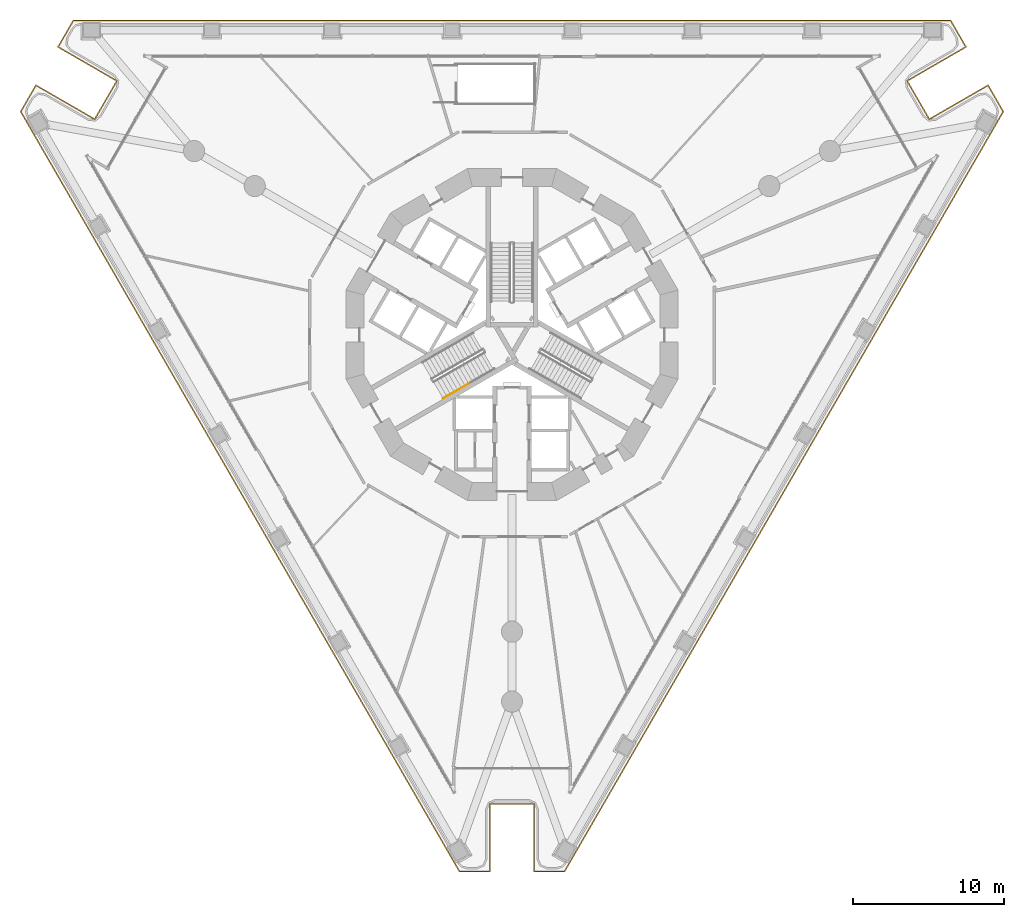
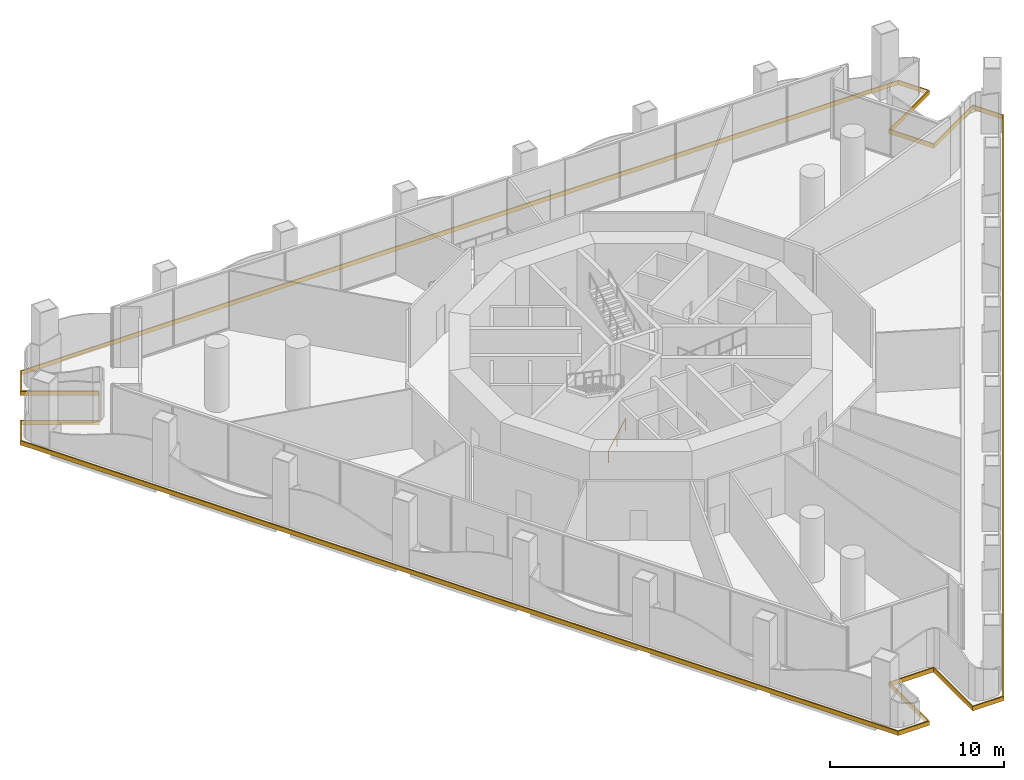
# One storey, part 15 of 21: 1 covering, 1 railing.
"""IFC4 building model written with IfcOpenShell, lengths in metres."""

from ifc_helpers import new_model, si_unit, direction, frame, origin, origin_2d, place, context, subcontext, project, spatial, polyline, circle, outline, extrude, material, layer, layer_set, type_object, element, save


model = new_model("IFC4")

# Units and contexts
model_context = context("Model", 3, precision=1e-05, world=origin(), true_north=direction((0.0, 1.0)))
body_context = subcontext(model_context, "Body", "Model", "MODEL_VIEW")
ifc_project = project(units=[si_unit("LENGTHUNIT", "METRE"), si_unit("AREAUNIT", "SQUARE_METRE"), si_unit("VOLUMEUNIT", "CUBIC_METRE"), si_unit("PLANEANGLEUNIT", "RADIAN"), si_unit("MASSUNIT", "GRAM", prefix="KILO")], contexts=[model_context])

# Site, building, storey
site_placement = place(None, origin())
site = spatial("IfcSite", under=ifc_project, at=site_placement, CompositionType="ELEMENT")
building_placement = place(site_placement, origin())
building = spatial("IfcBuilding", under=site, at=building_placement, Name="Trine Commons Tower", CompositionType="ELEMENT")
storey_placement = place(building_placement, frame((0.0, 0.0, 27.0)))
storey = spatial("IfcBuildingStorey", under=building, at=storey_placement, Name="L05", CompositionType="ELEMENT", Elevation=27.0)

# Covering
ifc_material_1 = material(Name="Limestone, honed", Category="masonry")
ifc_layer = layer(ifc_material_1, 0.074951171875)
ifc_layer_set = layer_set([ifc_layer], Name="Limestone, honed")
covering_type = type_object("IfcCoveringType", Name="Limestone spandrel panel 75", PredefinedType="CLADDING", material=ifc_layer_set)
covering_placement = place(storey_placement, frame((0.0, 0.0, -0.300048828125)))
element("IfcCovering", 1, at=covering_placement, inside=storey, type_object=covering_type, Name="Limestone spandrel panel 1-01", PredefinedType="CLADDING", context=body_context, shape_type="SweptSolid", body=[
    extrude(outline(polyline([(81.425048828125, 31.355712890625), (81.425048828125, 26.855712890625), (83.50732421875, 26.855712890625), (112.62255859375, 77.28466796875), (111.581298828125, 79.087890625), (107.68408203125, 76.837890625), (106.25927734375, 79.30615234375), (110.15625, 81.55615234375), (109.114990234375, 83.359619140625), (50.885009765625, 83.359619140625), (49.84375, 81.55615234375), (53.74072265625, 79.30615234375), (52.31591796875, 76.837890625), (48.418701171875, 79.087890625), (47.37744140625, 77.28466796875), (76.49267578125, 26.855712890625), (78.574951171875, 26.855712890625), (78.574951171875, 31.355712890625), (81.425048828125, 31.355712890625)]), holes=[polyline([(111.5537109375, 78.985595703125), (112.535888671875, 77.28466796875), (83.464111328125, 26.930908203125), (81.5, 26.930908203125), (81.5, 31.430908203125), (78.5, 31.430908203125), (78.5, 26.930908203125), (76.535888671875, 26.930908203125), (47.464111328125, 77.28466796875), (48.4462890625, 78.985595703125), (52.34326171875, 76.735595703125), (53.84326171875, 79.33349609375), (49.9462890625, 81.58349609375), (50.92822265625, 83.28466796875), (109.07177734375, 83.28466796875), (110.0537109375, 81.58349609375), (106.15673828125, 79.33349609375), (107.65673828125, 76.735595703125), (111.5537109375, 78.985595703125)])]), origin(), (0.0, 0.0, 1.0), 0.300048828125),
])

# Railing
ifc_material_2 = material(Name="Stainless steel handrail", Category="steel")
railing_type = type_object("IfcRailingType", Name="Stair handrail, steel 900", PredefinedType="HANDRAIL", material=ifc_material_2)
railing_placement = place(storey_placement, frame((75.43017578125, 58.27392578125, 0.14990234375)))
element("IfcRailing", 2, at=railing_placement, inside=storey, type_object=railing_type, Name="L05 ST2A stair handrail 1", PredefinedType="HANDRAIL", context=body_context, shape_type="SweptSolid", body=[
    extrude(circle(Radius=0.02099609375, at=origin_2d()), frame((0.0, 0.0, 0.87890625), z_axis=(0.763397845365, 0.440713210311, 0.472224095054), x_axis=(-0.499970440388, 0.866042469362, 0.0)), (0.0, 0.0, 1.0), 2.2236328125),
    extrude(circle(Radius=0.01513671875, at=origin_2d()), origin(), (0.0, 0.0, 1.0), 0.85791015625),
    extrude(circle(Radius=0.01513671875, at=origin_2d()), frame((0.8486328125, 0.489990234375, 0.52490234375)), (0.0, 0.0, 1.0), 0.85791015625),
    extrude(circle(Radius=0.01513671875, at=origin_2d()), frame((1.697509765625, 0.97998046875, 1.050048828125)), (0.0, 0.0, 1.0), 0.85791015625),
])

save(model, "model.ifc")
